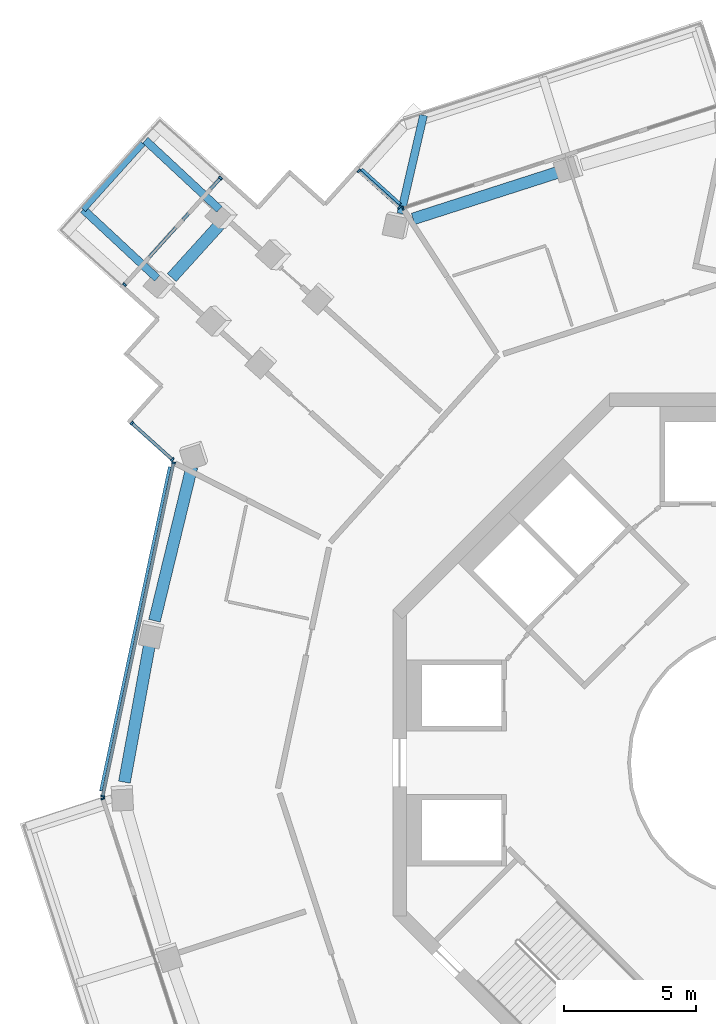
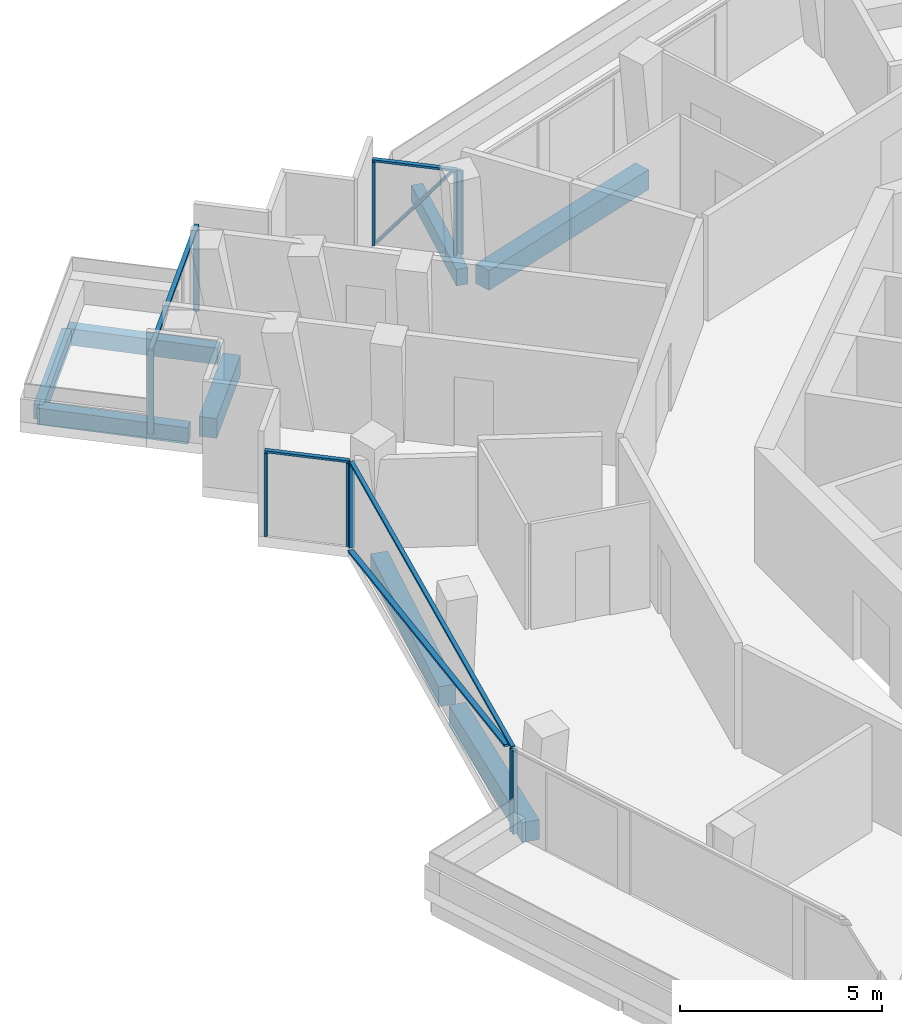
# One storey, part 6 of 22: 16 members, 8 beams, 6 elements without a shape of their own.
"""IFC4 building model written with IfcOpenShell, lengths in metres."""

from ifc_helpers import new_model, si_unit, direction, frame, origin, origin_2d, place, context, subcontext, project, spatial, rectangle, extrude, material, layer, layer_set, material_profile, profile_set, type_object, element, aggregate, save


model = new_model("IFC4")

# Units and contexts
model_context = context("Model", 3, precision=1e-05, world=origin(), true_north=direction((0.0, 1.0)))
body_context = subcontext(model_context, "Body", "Model", "MODEL_VIEW")
ifc_project = project(units=[si_unit("LENGTHUNIT", "METRE"), si_unit("AREAUNIT", "SQUARE_METRE"), si_unit("VOLUMEUNIT", "CUBIC_METRE"), si_unit("PLANEANGLEUNIT", "RADIAN"), si_unit("MASSUNIT", "GRAM", prefix="KILO")], contexts=[model_context])

# Site, building, storey
site_placement = place(None, origin())
site = spatial("IfcSite", under=ifc_project, at=site_placement, CompositionType="ELEMENT")
building_placement = place(site_placement, origin())
building = spatial("IfcBuilding", under=site, at=building_placement, Name="Verdalira Terraces Hotel", CompositionType="ELEMENT")
storey_placement = place(building_placement, frame((0.0, 0.0, 230.5)))
storey = spatial("IfcBuildingStorey", under=building, at=storey_placement, Name="L56", CompositionType="ELEMENT", Elevation=230.5)

# Beams
ifc_material_1 = material(Name="Concrete C40", Category="concrete")
ifc_material_profile_1 = material_profile(ifc_material_1, rectangle(XDim=0.300049, YDim=0.5, at=origin_2d()), Name="RC 300X500")
ifc_profile_set_1 = profile_set([ifc_material_profile_1], Name="Concrete C40")
beam_type_1 = type_object("IfcBeamType", Name="Balcony cantilever beam RC 300X500 C40", PredefinedType="BEAM", material=ifc_profile_set_1)
beam_1_placement = place(storey_placement, frame((-20.570312, 20.95459, -0.560059), z_axis=(-0.731814122, 0.681504286, 0.0), x_axis=(-0.681504286, -0.731814122, 0.0)))
element("IfcBeam", 1, at=beam_1_placement, inside=storey, type_object=beam_type_1, Name="Balcony cantilever beam R05-1", PredefinedType="BEAM", context=body_context, shape_type="SweptSolid", body=[
    extrude(rectangle(XDim=0.300049, YDim=0.5, at=origin_2d()), origin(), (0.0, 0.0, 1.0), 3.838623),
])
beam_2_placement = place(storey_placement, frame((-22.929688, 18.342285, -0.560059), z_axis=(-0.731787713, 0.681532643, 0.0), x_axis=(-0.681532643, -0.731787713, 0.0)))
element("IfcBeam", 2, at=beam_2_placement, inside=storey, type_object=beam_type_1, Name="Balcony cantilever beam R05-2", PredefinedType="BEAM", context=body_context, shape_type="SweptSolid", body=[
    extrude(rectangle(XDim=0.300049, YDim=0.5, at=origin_2d()), origin(), (0.0, 0.0, 1.0), 3.833008),
])
beam_3_placement = place(storey_placement, frame((-13.701904, 20.794922, -0.560059), z_axis=(0.224280634, 0.974524601, 0.0), x_axis=(-0.974524601, 0.224280634, 0.0)))
element("IfcBeam", 3, at=beam_3_placement, inside=storey, type_object=beam_type_1, Name="Balcony cantilever beam R41-3", PredefinedType="BEAM", context=body_context, shape_type="SweptSolid", body=[
    extrude(rectangle(XDim=0.300049, YDim=0.5, at=origin_2d()), origin(), (0.0, 0.0, 1.0), 3.819824),
])
ifc_material_2 = material(Name="Concrete C40", Category="concrete")
ifc_material_profile_2 = material_profile(ifc_material_2, rectangle(XDim=0.25, YDim=0.449951, at=origin_2d()), Name="RC 250X450")
ifc_profile_set_2 = profile_set([ifc_material_profile_2], Name="Concrete C40")
beam_type_2 = type_object("IfcBeamType", Name="Balcony edge beam RC 250X450 C40", PredefinedType="BEAM", material=ifc_profile_set_2)
beam_4_placement = place(storey_placement, frame((-23.479736, 23.458984, -0.534912), z_axis=(-0.669116815, -0.743157243, 0.0), x_axis=(0.743157243, -0.669116815, 0.0)))
element("IfcBeam", 4, at=beam_4_placement, inside=storey, type_object=beam_type_2, Name="Balcony edge beam R05-1", PredefinedType="BEAM", context=body_context, shape_type="SweptSolid", body=[
    extrude(rectangle(XDim=0.25, YDim=0.449951, at=origin_2d()), origin(), (0.0, 0.0, 1.0), 3.369873),
])

# Curtain wall, members
ifc_material_3 = material(Name="Clear glass", Category="glass")
ifc_layer_1 = layer(ifc_material_3, 0.14990234375)
ifc_layer_set_1 = layer_set([ifc_layer_1], Name="CW1 curtain wall")
curtain_wall_type_1 = type_object("IfcCurtainWallType", Name="CW1 curtain wall", PredefinedType="NOTDEFINED", material=ifc_layer_set_1)
curtain_wall_1_placement = place(storey_placement, origin())
curtain_wall_1 = element("IfcCurtainWall", 5, at=curtain_wall_1_placement, inside=storey, type_object=curtain_wall_type_1, Name="CW1 curtain wall L56 edge 11", PredefinedType="NOTDEFINED")
ifc_material_4 = material(Name="Terracotta frame", Category="masonry")
ifc_material_profile_3 = material_profile(ifc_material_4, rectangle(XDim=0.060059, YDim=0.149902, at=origin_2d()), Name="MU 60x150")
ifc_profile_set_3 = profile_set([ifc_material_profile_3], Name="Terracotta frame")
member_type_1 = type_object("IfcMemberType", Name="CW1 mullion 60x150", PredefinedType="MULLION", material=ifc_profile_set_3)
member_1_placement = place(storey_placement, frame((-22.30957, 11.356689, 0.0), z_axis=(0.0, 0.0, 1.0), x_axis=(-0.207911691, -0.978147601, 0.0)))
member_1 = element("IfcMember", 6, at=member_1_placement, type_object=member_type_1, Name="CW1 mullion", PredefinedType="MULLION", context=body_context, shape_type="SweptSolid", body=[
    extrude(rectangle(XDim=0.060059, YDim=0.149902, at=origin_2d()), origin(), (0.0, 0.0, 1.0), 2.524902),
])
member_2_placement = place(storey_placement, frame((-24.991699, -1.26123, 0.0), z_axis=(0.0, 0.0, 1.0), x_axis=(-0.207911691, -0.978147601, 0.0)))
member_2 = element("IfcMember", 7, at=member_2_placement, type_object=member_type_1, Name="CW1 mullion", PredefinedType="MULLION", context=body_context, shape_type="SweptSolid", body=[
    extrude(rectangle(XDim=0.060059, YDim=0.149902, at=origin_2d()), origin(), (0.0, 0.0, 1.0), 2.524902),
])

# Curtain wall, member
curtain_wall_2_placement = place(storey_placement, origin())
curtain_wall_2 = element("IfcCurtainWall", 8, at=curtain_wall_2_placement, inside=storey, type_object=curtain_wall_type_1, Name="CW1 curtain wall L56 edge 12", PredefinedType="NOTDEFINED")
member_3_placement = place(storey_placement, frame((-24.986572, -1.35791, 0.0), z_axis=(0.0, 0.0, 1.0), x_axis=(0.309016994, -0.951056516, 0.0)))
member_3 = element("IfcMember", 9, at=member_3_placement, type_object=member_type_1, Name="CW1 mullion", PredefinedType="MULLION", context=body_context, shape_type="SweptSolid", body=[
    extrude(rectangle(XDim=0.060059, YDim=0.149902, at=origin_2d()), origin(), (0.0, 0.0, 1.0), 2.524902),
])
aggregate(curtain_wall_2, [member_3])

curtain_wall_3_placement = place(storey_placement, origin())
curtain_wall_3 = element("IfcCurtainWall", 10, at=curtain_wall_3_placement, inside=storey, type_object=curtain_wall_type_1, Name="CW1 curtain wall L56 edge 41", PredefinedType="NOTDEFINED")
member_4_placement = place(storey_placement, frame((-13.626465, 21.000488, 0.0), z_axis=(0.0, 0.0, 1.0), x_axis=(-0.951056516, -0.309016994, 0.0)))
member_4 = element("IfcMember", 11, at=member_4_placement, type_object=member_type_1, Name="CW1 mullion", PredefinedType="MULLION", context=body_context, shape_type="SweptSolid", body=[
    extrude(rectangle(XDim=0.060059, YDim=0.149902, at=origin_2d()), origin(), (0.0, 0.0, 1.0), 2.524902),
])
aggregate(curtain_wall_3, [member_4])

# Member
ifc_material_5 = material(Name="Terracotta frame", Category="masonry")
ifc_material_profile_4 = material_profile(ifc_material_5, rectangle(XDim=0.110107, YDim=0.064941, at=origin_2d()), Name="TR 65x110")
ifc_profile_set_4 = profile_set([ifc_material_profile_4], Name="Terracotta frame")
member_type_2 = type_object("IfcMemberType", Name="CW1 transom 65x110", PredefinedType="USERDEFINED", material=ifc_profile_set_4)
member_5_placement = place(storey_placement, frame((-22.303467, 11.385986, 2.557617), z_axis=(-0.207919363, -0.97814597, 0.0), x_axis=(0.97814597, -0.207919363, 0.0)))
member_5 = element("IfcMember", 12, at=member_5_placement, type_object=member_type_2, Name="CW1 transom", ObjectType="TRANSOM", PredefinedType="USERDEFINED", context=body_context, shape_type="SweptSolid", body=[
    extrude(rectangle(XDim=0.110107, YDim=0.064941, at=origin_2d()), origin(), (0.0, 0.0, 1.0), 12.959717),
])

# Curtain wall, members
ifc_material_6 = material(Name="Clear glass", Category="glass")
ifc_layer_2 = layer(ifc_material_6, 0.14990234375)
ifc_layer_set_2 = layer_set([ifc_layer_2], Name="CW2 curtain wall")
curtain_wall_type_2 = type_object("IfcCurtainWallType", Name="CW2 curtain wall", PredefinedType="NOTDEFINED", material=ifc_layer_set_2)
curtain_wall_4_placement = place(storey_placement, origin())
curtain_wall_4 = element("IfcCurtainWall", 13, at=curtain_wall_4_placement, inside=storey, type_object=curtain_wall_type_2, Name="CW2 curtain wall L56 edge 0", PredefinedType="NOTDEFINED")
ifc_material_7 = material(Name="Terracotta frame", Category="masonry")
ifc_material_profile_5 = material_profile(ifc_material_7, rectangle(XDim=0.070068, YDim=0.149902, at=origin_2d()), Name="MU 70x150")
ifc_profile_set_5 = profile_set([ifc_material_profile_5], Name="Terracotta frame")
member_type_3 = type_object("IfcMemberType", Name="CW2 mullion 70x150", PredefinedType="MULLION", material=ifc_profile_set_5)
member_6_placement = place(storey_placement, frame((-13.754395, 21.030029, 0.0), z_axis=(0.0, 0.0, 1.0), x_axis=(-0.743144825, 0.669130606, 0.0)))
member_6 = element("IfcMember", 14, at=member_6_placement, type_object=member_type_3, Name="CW2 mullion", PredefinedType="MULLION", context=body_context, shape_type="SweptSolid", body=[
    extrude(rectangle(XDim=0.070068, YDim=0.149902, at=origin_2d()), origin(), (0.0, 0.0, 1.0), 2.524902),
])
member_7_placement = place(storey_placement, frame((-15.290771, 22.413574, 0.0), z_axis=(0.0, 0.0, 1.0), x_axis=(-0.743144825, 0.669130606, 0.0)))
member_7 = element("IfcMember", 15, at=member_7_placement, type_object=member_type_3, Name="CW2 mullion", PredefinedType="MULLION", context=body_context, shape_type="SweptSolid", body=[
    extrude(rectangle(XDim=0.070068, YDim=0.149902, at=origin_2d()), origin(), (0.0, 0.0, 1.0), 2.524902),
])

curtain_wall_5_placement = place(storey_placement, origin())
curtain_wall_5 = element("IfcCurtainWall", 16, at=curtain_wall_5_placement, inside=storey, type_object=curtain_wall_type_2, Name="CW2 curtain wall L56 edge 10", PredefinedType="NOTDEFINED")
member_8_placement = place(storey_placement, frame((-23.88916, 12.864258, 0.0), z_axis=(0.0, 0.0, 1.0), x_axis=(0.743144825, -0.669130606, 0.0)))
member_8 = element("IfcMember", 17, at=member_8_placement, type_object=member_type_3, Name="CW2 mullion", PredefinedType="MULLION", context=body_context, shape_type="SweptSolid", body=[
    extrude(rectangle(XDim=0.070068, YDim=0.149902, at=origin_2d()), origin(), (0.0, 0.0, 1.0), 2.524902),
])
member_9_placement = place(storey_placement, frame((-22.352539, 11.480713, 0.0), z_axis=(0.0, 0.0, 1.0), x_axis=(0.743144825, -0.669130606, 0.0)))
member_9 = element("IfcMember", 18, at=member_9_placement, type_object=member_type_3, Name="CW2 mullion", PredefinedType="MULLION", context=body_context, shape_type="SweptSolid", body=[
    extrude(rectangle(XDim=0.070068, YDim=0.149902, at=origin_2d()), origin(), (0.0, 0.0, 1.0), 2.524902),
])

# Member
ifc_material_8 = material(Name="Terracotta frame", Category="masonry")
ifc_material_profile_6 = material_profile(ifc_material_8, rectangle(XDim=0.11499, YDim=0.064941, at=origin_2d()), Name="TR 65x115")
ifc_profile_set_6 = profile_set([ifc_material_profile_6], Name="Terracotta frame")
member_type_4 = type_object("IfcMemberType", Name="CW2 transom 65x115", PredefinedType="USERDEFINED", material=ifc_profile_set_6)
member_10_placement = place(storey_placement, frame((-13.728271, 21.006592, 2.557617), z_axis=(-0.7431408, 0.669135077, 0.0), x_axis=(-0.669135077, -0.7431408, 0.0)))
member_10 = element("IfcMember", 19, at=member_10_placement, type_object=member_type_4, Name="CW2 transom", ObjectType="TRANSOM", PredefinedType="USERDEFINED", context=body_context, shape_type="SweptSolid", body=[
    extrude(rectangle(XDim=0.11499, YDim=0.064941, at=origin_2d()), origin(), (0.0, 0.0, 1.0), 2.137695),
])

member_11_placement = place(storey_placement, frame((-23.915039, 12.887695, 2.557617), z_axis=(0.743089658, -0.66919187, 0.0), x_axis=(0.66919187, 0.743089658, 0.0)))
member_11 = element("IfcMember", 20, at=member_11_placement, type_object=member_type_4, Name="CW2 transom", ObjectType="TRANSOM", PredefinedType="USERDEFINED", context=body_context, shape_type="SweptSolid", body=[
    extrude(rectangle(XDim=0.11499, YDim=0.064941, at=origin_2d()), origin(), (0.0, 0.0, 1.0), 2.137451),
])

aggregate(curtain_wall_5, [member_8, member_9, member_11])

# Curtain wall, members
ifc_material_9 = material(Name="Clear glass", Category="glass")
ifc_layer_3 = layer(ifc_material_9, 0.14990234375)
ifc_layer_set_3 = layer_set([ifc_layer_3], Name="CW3 curtain wall")
curtain_wall_type_3 = type_object("IfcCurtainWallType", Name="CW3 curtain wall", PredefinedType="NOTDEFINED", material=ifc_layer_set_3)
curtain_wall_6_placement = place(storey_placement, origin())
curtain_wall_6 = element("IfcCurtainWall", 21, at=curtain_wall_6_placement, inside=storey, type_object=curtain_wall_type_3, Name="CW3 curtain wall L56 edge 5", PredefinedType="NOTDEFINED")
ifc_material_10 = material(Name="Terracotta frame", Category="masonry")
ifc_material_profile_7 = material_profile(ifc_material_10, rectangle(XDim=0.080078, YDim=0.149902, at=origin_2d()), Name="MU 80x150")
ifc_profile_set_7 = profile_set([ifc_material_profile_7], Name="Terracotta frame")
member_type_5 = type_object("IfcMemberType", Name="CW3 mullion 80x150", PredefinedType="MULLION", material=ifc_profile_set_7)
member_12_placement = place(storey_placement, frame((-20.533691, 22.135254, 0.0), z_axis=(0.0, 0.0, 1.0), x_axis=(-0.669130606, -0.743144825, 0.0)))
member_12 = element("IfcMember", 22, at=member_12_placement, type_object=member_type_5, Name="CW3 mullion", PredefinedType="MULLION", context=body_context, shape_type="SweptSolid", body=[
    extrude(rectangle(XDim=0.080078, YDim=0.149902, at=origin_2d()), origin(), (0.0, 0.0, 1.0), 2.524902),
])
member_13_placement = place(storey_placement, frame((-24.1604, 18.107422, 0.0), z_axis=(0.0, 0.0, 1.0), x_axis=(-0.669130606, -0.743144825, 0.0)))
member_13 = element("IfcMember", 23, at=member_13_placement, type_object=member_type_5, Name="CW3 mullion", PredefinedType="MULLION", context=body_context, shape_type="SweptSolid", body=[
    extrude(rectangle(XDim=0.080078, YDim=0.149902, at=origin_2d()), origin(), (0.0, 0.0, 1.0), 2.524902),
])
ifc_material_11 = material(Name="Terracotta frame", Category="masonry")
ifc_material_profile_8 = material_profile(ifc_material_11, rectangle(XDim=0.120117, YDim=0.064941, at=origin_2d()), Name="TR 65x120")
ifc_profile_set_8 = profile_set([ifc_material_profile_8], Name="Terracotta frame")
member_type_6 = type_object("IfcMemberType", Name="CW3 transom 65x120", PredefinedType="USERDEFINED", material=ifc_profile_set_8)
member_14_placement = place(storey_placement, frame((-20.506836, 22.165039, 2.557617), z_axis=(-0.669141282, -0.743135213, 0.0), x_axis=(0.743135213, -0.669141282, 0.0)))
member_14 = element("IfcMember", 24, at=member_14_placement, type_object=member_type_6, Name="CW3 transom", ObjectType="TRANSOM", PredefinedType="USERDEFINED", context=body_context, shape_type="SweptSolid", body=[
    extrude(rectangle(XDim=0.120117, YDim=0.064941, at=origin_2d()), origin(), (0.0, 0.0, 1.0), 5.500244),
])
aggregate(curtain_wall_6, [member_12, member_13, member_14])

# Member
ifc_material_12 = material(Name="Terracotta frame", Category="masonry")
ifc_material_profile_9 = material_profile(ifc_material_12, rectangle(XDim=0.149902, YDim=0.060059, at=origin_2d()), Name="GB 60x150")
ifc_profile_set_9 = profile_set([ifc_material_profile_9], Name="Terracotta frame")
member_type_7 = type_object("IfcMemberType", Name="Diagonal glazing bar 60x150", PredefinedType="USERDEFINED", material=ifc_profile_set_9)
member_15_placement = place(storey_placement, frame((-13.737793, 21.137695, 2.493652), z_axis=(-0.461095193, 0.415141186, -0.78425061), x_axis=(-0.669103199, -0.743169502, 0.0)))
member_15 = element("IfcMember", 25, at=member_15_placement, type_object=member_type_7, Name="Diagonal glazing bar", ObjectType="GLAZING BAR", PredefinedType="USERDEFINED", context=body_context, shape_type="SweptSolid", body=[
    extrude(rectangle(XDim=0.149902, YDim=0.060059, at=origin_2d()), origin(), (0.0, 0.0, 1.0), 3.139893),
])

aggregate(curtain_wall_4, [member_6, member_7, member_10, member_15])

member_16_placement = place(storey_placement, frame((-22.43457, 11.19751, 0.029785), z_axis=(-0.203999226, -0.959767059, 0.192954682), x_axis=(0.978148753, -0.207906269, 0.0)))
member_16 = element("IfcMember", 26, at=member_16_placement, type_object=member_type_7, Name="Diagonal glazing bar", ObjectType="GLAZING BAR", PredefinedType="USERDEFINED", context=body_context, shape_type="SweptSolid", body=[
    extrude(rectangle(XDim=0.149902, YDim=0.060059, at=origin_2d()), origin(), (0.0, 0.0, 1.0), 12.776855),
])

aggregate(curtain_wall_1, [member_1, member_2, member_5, member_16])

# Beams
ifc_material_13 = material(Name="Concrete C40", Category="concrete")
ifc_material_profile_10 = material_profile(ifc_material_13, rectangle(XDim=0.449951, YDim=0.600098, at=origin_2d()), Name="RC 450X600")
ifc_profile_set_10 = profile_set([ifc_material_profile_10], Name="Concrete C40")
beam_type_3 = type_object("IfcBeamType", Name="Spandrel beam RC 450X600 C40", PredefinedType="SPANDREL", material=ifc_profile_set_10)
beam_5_placement = place(storey_placement, frame((-20.490723, 20.452881, -0.610107), z_axis=(-0.671322654, -0.741165228, 0.0), x_axis=(0.741165228, -0.671322654, 0.0)))
element("IfcBeam", 27, at=beam_5_placement, inside=storey, type_object=beam_type_3, Name="Spandrel beam B01", PredefinedType="SPANDREL", context=body_context, shape_type="SweptSolid", body=[
    extrude(rectangle(XDim=0.449951, YDim=0.600098, at=origin_2d()), origin(), (0.0, 0.0, 1.0), 2.810547),
])
beam_6_placement = place(storey_placement, frame((-21.61499, 11.209717, -0.610107), z_axis=(-0.236019286, -0.971748371, 0.0), x_axis=(0.971748371, -0.236019286, 0.0)))
element("IfcBeam", 28, at=beam_6_placement, inside=storey, type_object=beam_type_3, Name="Spandrel beam B02", PredefinedType="SPANDREL", context=body_context, shape_type="SweptSolid", body=[
    extrude(rectangle(XDim=0.449951, YDim=0.600098, at=origin_2d()), origin(), (0.0, 0.0, 1.0), 5.999512),
])
beam_7_placement = place(storey_placement, frame((-23.201416, 4.575195, -0.610107), z_axis=(-0.179586359, -0.983742212, 0.0), x_axis=(0.983742212, -0.179586359, 0.0)))
element("IfcBeam", 29, at=beam_7_placement, inside=storey, type_object=beam_type_3, Name="Spandrel beam B03", PredefinedType="SPANDREL", context=body_context, shape_type="SweptSolid", body=[
    extrude(rectangle(XDim=0.449951, YDim=0.600098, at=origin_2d()), origin(), (0.0, 0.0, 1.0), 5.394287),
])
beam_8_placement = place(storey_placement, frame((-7.631104, 22.396973, -0.610107), z_axis=(-0.951953951, -0.306241204, 0.0), x_axis=(0.306241204, -0.951953951, 0.0)))
element("IfcBeam", 30, at=beam_8_placement, inside=storey, type_object=beam_type_3, Name="Spandrel beam B23", PredefinedType="SPANDREL", context=body_context, shape_type="SweptSolid", body=[
    extrude(rectangle(XDim=0.449951, YDim=0.600098, at=origin_2d()), origin(), (0.0, 0.0, 1.0), 5.892334),
])

save(model, "model.ifc")
